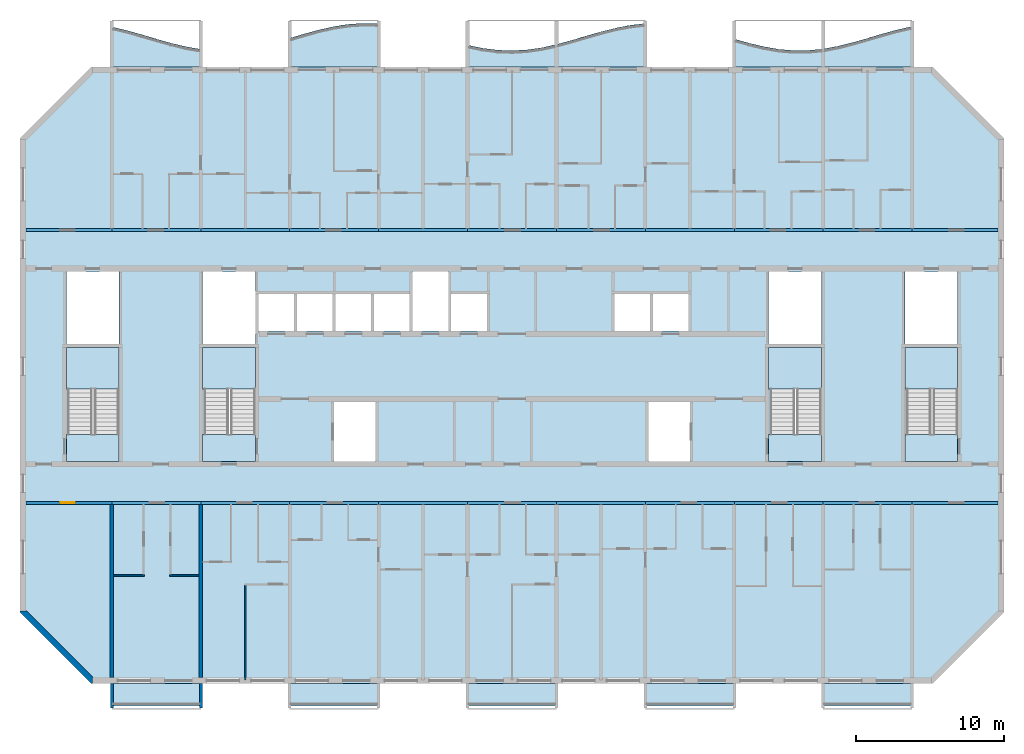
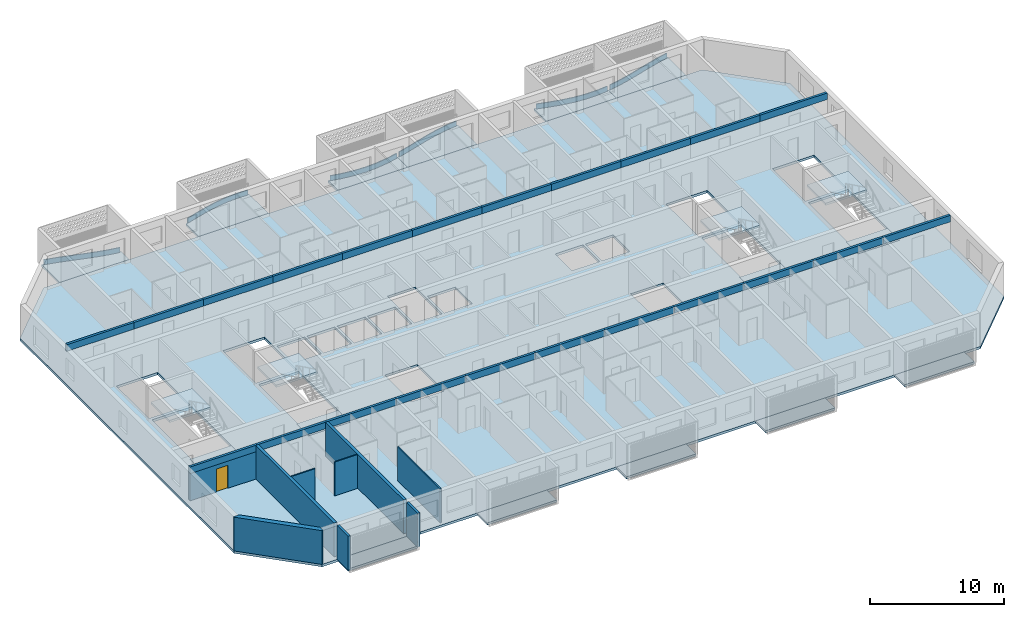
# One storey, part 1 of 26: 22 beams, 20 slabs, 9 walls, 6 plates, 1 door, 1 opening, 4 elements without a shape of their own.
"""IFC4 building model written with IfcOpenShell, lengths in metres."""

from ifc_helpers import new_model, si_unit, direction, frame, frame_2d, origin, origin_2d, place, context, subcontext, project, spatial, polyline, rectangle, outline, extrude, source, transform, mapped, material, layer, layer_set, material_profile, profile_set, type_object, element, fill, aggregate, save


model = new_model("IFC4")

# Units and contexts
model_context = context("Model", 3, precision=1e-05, world=origin(), true_north=direction((0.0, 1.0)))
body_context = subcontext(model_context, "Body", "Model", "MODEL_VIEW")
ifc_project = project(units=[si_unit("LENGTHUNIT", "METRE"), si_unit("AREAUNIT", "SQUARE_METRE"), si_unit("VOLUMEUNIT", "CUBIC_METRE"), si_unit("PLANEANGLEUNIT", "RADIAN"), si_unit("MASSUNIT", "GRAM", prefix="KILO")], contexts=[model_context])

# Site, building, storey
site_placement = place(None, origin())
site = spatial("IfcSite", under=ifc_project, at=site_placement, CompositionType="ELEMENT")
building_placement = place(site_placement, origin())
building = spatial("IfcBuilding", under=site, at=building_placement, Name="Poui Terraces", CompositionType="ELEMENT")
storey_placement = place(building_placement, frame((0.0, 0.0, 175.199951171875)))
storey = spatial("IfcBuildingStorey", under=building, at=storey_placement, Name="L48", CompositionType="ELEMENT", Elevation=175.199951171875)

# Beams
ifc_material_1 = material(Name="Concrete 50 MPa", Category="concrete")
ifc_material_profile = material_profile(ifc_material_1, rectangle(XDim=0.199951171875, YDim=0.60009765625, at=origin_2d()), Name="RC 200x600")
ifc_profile_set = profile_set([ifc_material_profile], Name="Concrete 50 MPa")
beam_type = type_object("IfcBeamType", Name="COUPLING BEAM 200x600 50MPa", PredefinedType="BEAM", material=ifc_profile_set)
shared_shape_1 = source(origin(), body_context, "Body", "SweptSolid", [
    extrude(rectangle(XDim=0.199951171875, YDim=0.60009765625, at=origin_2d()), origin(), (0.0, 0.0, 1.0), 5.800048828125),
])
for number, where, z_axis, x_axis, name in (
    (1, (18.199951171875, 12.0, 2.780029296875), (1.0, 0.0, 0.0), (0.0, 1.0, 0.0), "COUPLING BEAM LINE B BAY 1"),
    (2, (78.0, 12.0, 2.780029296875), (1.0, 0.0, 0.0), (0.0, 1.0, 0.0), "COUPLING BEAM LINE B BAY 11"),
    (3, (18.199951171875, 30.39990234375, 2.780029296875), (1.0, 0.0, 0.0), (0.0, 1.0, 0.0), "COUPLING BEAM LINE E BAY 1"),
    (4, (78.0, 30.39990234375, 2.780029296875), (1.0, 0.0, 0.0), (0.0, 1.0, 0.0), "COUPLING BEAM LINE E BAY 11"),
):
    element("IfcBeam", number, at=place(storey_placement, frame(where, z_axis=z_axis, x_axis=x_axis)), inside=storey, type_object=beam_type, Name=name, PredefinedType="BEAM", context=body_context, shape_type="MappedRepresentation", body=[
        mapped(shared_shape_1, transform((0.0, 0.0, 0.0))),
    ])
shared_shape_2 = source(origin(), body_context, "Body", "SweptSolid", [
    extrude(rectangle(XDim=0.199951171875, YDim=0.60009765625, at=origin_2d()), origin(), (0.0, 0.0, 1.0), 6.0),
])
for number, where, z_axis, x_axis, name in (
    (5, (24.0, 12.0, 2.780029296875), (1.0, 0.0, 0.0), (0.0, 1.0, 0.0), "COUPLING BEAM LINE B BAY 2"),
    (6, (30.0, 12.0, 2.780029296875), (1.0, 0.0, 0.0), (0.0, 1.0, 0.0), "COUPLING BEAM LINE B BAY 3"),
    (7, (36.0, 12.0, 2.780029296875), (1.0, 0.0, 0.0), (0.0, 1.0, 0.0), "COUPLING BEAM LINE B BAY 4"),
    (8, (42.0, 12.0, 2.780029296875), (1.0, 0.0, 0.0), (0.0, 1.0, 0.0), "COUPLING BEAM LINE B BAY 5"),
    (9, (48.0, 12.0, 2.780029296875), (1.0, 0.0, 0.0), (0.0, 1.0, 0.0), "COUPLING BEAM LINE B BAY 6"),
    (10, (54.0, 12.0, 2.780029296875), (1.0, 0.0, 0.0), (0.0, 1.0, 0.0), "COUPLING BEAM LINE B BAY 7"),
    (11, (60.0, 12.0, 2.780029296875), (1.0, 0.0, 0.0), (0.0, 1.0, 0.0), "COUPLING BEAM LINE B BAY 8"),
    (12, (66.0, 12.0, 2.780029296875), (1.0, 0.0, 0.0), (0.0, 1.0, 0.0), "COUPLING BEAM LINE B BAY 9"),
    (13, (72.0, 12.0, 2.780029296875), (1.0, 0.0, 0.0), (0.0, 1.0, 0.0), "COUPLING BEAM LINE B BAY 10"),
    (14, (24.0, 30.39990234375, 2.780029296875), (1.0, 0.0, 0.0), (0.0, 1.0, 0.0), "COUPLING BEAM LINE E BAY 2"),
    (15, (30.0, 30.39990234375, 2.780029296875), (1.0, 0.0, 0.0), (0.0, 1.0, 0.0), "COUPLING BEAM LINE E BAY 3"),
    (16, (36.0, 30.39990234375, 2.780029296875), (1.0, 0.0, 0.0), (0.0, 1.0, 0.0), "COUPLING BEAM LINE E BAY 4"),
    (17, (42.0, 30.39990234375, 2.780029296875), (1.0, 0.0, 0.0), (0.0, 1.0, 0.0), "COUPLING BEAM LINE E BAY 5"),
    (18, (48.0, 30.39990234375, 2.780029296875), (1.0, 0.0, 0.0), (0.0, 1.0, 0.0), "COUPLING BEAM LINE E BAY 6"),
    (19, (54.0, 30.39990234375, 2.780029296875), (1.0, 0.0, 0.0), (0.0, 1.0, 0.0), "COUPLING BEAM LINE E BAY 7"),
    (20, (60.0, 30.39990234375, 2.780029296875), (1.0, 0.0, 0.0), (0.0, 1.0, 0.0), "COUPLING BEAM LINE E BAY 8"),
    (21, (66.0, 30.39990234375, 2.780029296875), (1.0, 0.0, 0.0), (0.0, 1.0, 0.0), "COUPLING BEAM LINE E BAY 9"),
    (22, (72.0, 30.39990234375, 2.780029296875), (1.0, 0.0, 0.0), (0.0, 1.0, 0.0), "COUPLING BEAM LINE E BAY 10"),
):
    element("IfcBeam", number, at=place(storey_placement, frame(where, z_axis=z_axis, x_axis=x_axis)), inside=storey, type_object=beam_type, Name=name, PredefinedType="BEAM", context=body_context, shape_type="MappedRepresentation", body=[
        mapped(shared_shape_2, transform((0.0, 0.0, 0.0))),
    ])

# Slabs
ifc_material_2 = material(Name="Precast concrete 40 MPa", Category="concrete")
ifc_layer_1 = layer(ifc_material_2, 0.199951171875)
ifc_layer_set_1 = layer_set([ifc_layer_1], Name="Precast concrete 40 MPa")
slab_type_1 = type_object("IfcSlabType", Name="BALCONY SLAB 200", PredefinedType="FLOOR", material=ifc_layer_set_1)
slab_1_placement = place(storey_placement, frame((0.0, 0.0, -0.199951171875)))
element("IfcSlab", 23, at=slab_1_placement, inside=storey, type_object=slab_type_1, Name="BALCONY SLAB", PredefinedType="FLOOR", context=body_context, shape_type="SweptSolid", body=[
    extrude(outline(polyline([(24.0, 41.39990234375), (30.0, 41.39990234375), (30.0, 42.5947265625), (29.0, 42.7666015625), (28.0, 43.006103515625), (27.0, 43.288818359375), (26.0, 43.585693359375), (25.0, 43.86572265625), (24.0, 44.1005859375), (24.0, 41.39990234375)])), origin(), (0.0, 0.0, 1.0), 0.199951171875),
])
slab_2_placement = place(storey_placement, frame((0.0, 0.0, -0.199951171875)))
element("IfcSlab", 24, at=slab_2_placement, inside=storey, type_object=slab_type_1, Name="BALCONY SLAB", PredefinedType="FLOOR", context=body_context, shape_type="SweptSolid", body=[
    extrude(outline(polyline([(36.0, 41.39990234375), (42.0, 41.39990234375), (42.0, 44.31689453125), (41.0, 44.3486328125), (40.0, 44.285400390625), (39.0, 44.133544921875), (38.0, 43.90869140625), (37.0, 43.63427734375), (36.0, 43.338134765625), (36.0, 41.39990234375)])), origin(), (0.0, 0.0, 1.0), 0.199951171875),
])
slab_3_placement = place(storey_placement, frame((0.0, 0.0, -0.199951171875)))
element("IfcSlab", 25, at=slab_3_placement, inside=storey, type_object=slab_type_1, Name="BALCONY SLAB", PredefinedType="FLOOR", context=body_context, shape_type="SweptSolid", body=[
    extrude(outline(polyline([(48.0, 41.39990234375), (54.0, 41.39990234375), (54.0, 42.920166015625), (53.0, 42.70068359375), (52.0, 42.555908203125), (51.0, 42.500244140625), (50.0, 42.5400390625), (49.0, 42.6708984375), (48.0, 42.87939453125), (48.0, 41.39990234375)])), origin(), (0.0, 0.0, 1.0), 0.199951171875),
])
slab_4_placement = place(storey_placement, frame((0.0, 0.0, -0.199951171875)))
element("IfcSlab", 26, at=slab_4_placement, inside=storey, type_object=slab_type_1, Name="BALCONY SLAB", PredefinedType="FLOOR", context=body_context, shape_type="SweptSolid", body=[
    extrude(outline(polyline([(54.0, 41.39990234375), (60.0, 41.39990234375), (60.0, 44.32861328125), (59.0, 44.2197265625), (58.0, 44.029052734375), (57.0, 43.776123046875), (56.0, 43.487060546875), (55.0, 43.191650390625), (54.0, 42.920166015625), (54.0, 41.39990234375)])), origin(), (0.0, 0.0, 1.0), 0.199951171875),
])
slab_5_placement = place(storey_placement, frame((0.0, 0.0, -0.199951171875)))
element("IfcSlab", 27, at=slab_5_placement, inside=storey, type_object=slab_type_1, Name="BALCONY SLAB", PredefinedType="FLOOR", context=body_context, shape_type="SweptSolid", body=[
    extrude(outline(polyline([(66.0, 41.39990234375), (72.0, 41.39990234375), (72.0, 42.617919921875), (71.0, 42.516357421875), (70.0, 42.50830078125), (69.0, 42.5947265625), (68.0, 42.7666015625), (67.0, 43.006103515625), (66.0, 43.288818359375), (66.0, 41.39990234375)])), origin(), (0.0, 0.0, 1.0), 0.199951171875),
])
slab_6_placement = place(storey_placement, frame((0.0, 0.0, -0.199951171875)))
element("IfcSlab", 28, at=slab_6_placement, inside=storey, type_object=slab_type_1, Name="BALCONY SLAB", PredefinedType="FLOOR", context=body_context, shape_type="SweptSolid", body=[
    extrude(outline(polyline([(72.0, 41.39990234375), (78.0, 41.39990234375), (78.0, 44.133544921875), (77.0, 43.90869140625), (76.0, 43.63427734375), (75.0, 43.338134765625), (74.0, 43.051025390625), (73.0, 42.802490234375), (72.0, 42.617919921875), (72.0, 41.39990234375)])), origin(), (0.0, 0.0, 1.0), 0.199951171875),
])

# Stair, slabs
stair_type = type_object("IfcStairType", Name="EXIT STAIR 1650 50 MPA", PredefinedType="HALF_TURN_STAIR", material=ifc_material_1)
stair_1_placement = place(storey_placement, origin())
stair_1 = element("IfcStair", 29, at=stair_1_placement, inside=storey, type_object=stair_type, Name="L48 CORE STAIR EAST", PredefinedType="HALF_TURN_STAIR")
ifc_layer_2 = layer(ifc_material_1, 0.199951171875)
ifc_layer_set_2 = layer_set([ifc_layer_2], Name="Concrete 50 MPa")
slab_type_2 = type_object("IfcSlabType", Name="STAIR LANDING 200 50 MPA", PredefinedType="LANDING", material=ifc_layer_set_2)
slab_7_placement = place(storey_placement, frame((0.0, 0.0, 1.449951171875)))
slab_7 = element("IfcSlab", 30, at=slab_7_placement, type_object=slab_type_2, Name="ST-CE landing 1", PredefinedType="LANDING", context=body_context, shape_type="SweptSolid", body=[
    extrude(outline(polyline([(68.324951171875, 19.679931640625), (71.875, 19.679931640625), (71.875, 22.47509765625), (68.324951171875, 22.47509765625), (68.324951171875, 19.679931640625)])), origin(), (0.0, 0.0, 1.0), 0.2001953125),
])
slab_8_placement = place(storey_placement, frame((0.0, 0.0, -0.199951171875)))
slab_8 = element("IfcSlab", 31, at=slab_8_placement, type_object=slab_type_2, Name="ST-CE landing 2", PredefinedType="LANDING", context=body_context, shape_type="SweptSolid", body=[
    extrude(outline(polyline([(68.324951171875, 14.800048828125), (71.875, 14.800048828125), (71.875, 16.60009765625), (68.324951171875, 16.60009765625), (68.324951171875, 14.800048828125)])), origin(), (0.0, 0.0, 1.0), 0.199951171875),
])
aggregate(stair_1, [slab_7, slab_8])

stair_2_placement = place(storey_placement, origin())
stair_2 = element("IfcStair", 32, at=stair_2_placement, inside=storey, type_object=stair_type, Name="L48 CORE STAIR WEST", PredefinedType="HALF_TURN_STAIR")
slab_9_placement = place(storey_placement, frame((0.0, 0.0, 1.449951171875)))
slab_9 = element("IfcSlab", 33, at=slab_9_placement, type_object=slab_type_2, Name="ST-CW landing 1", PredefinedType="LANDING", context=body_context, shape_type="SweptSolid", body=[
    extrude(outline(polyline([(30.125, 19.679931640625), (33.675048828125, 19.679931640625), (33.675048828125, 22.47509765625), (30.125, 22.47509765625), (30.125, 19.679931640625)])), origin(), (0.0, 0.0, 1.0), 0.2001953125),
])
slab_10_placement = place(storey_placement, frame((0.0, 0.0, -0.199951171875)))
slab_10 = element("IfcSlab", 34, at=slab_10_placement, type_object=slab_type_2, Name="ST-CW landing 2", PredefinedType="LANDING", context=body_context, shape_type="SweptSolid", body=[
    extrude(outline(polyline([(30.125, 14.800048828125), (33.675048828125, 14.800048828125), (33.675048828125, 16.60009765625), (30.125, 16.60009765625), (30.125, 14.800048828125)])), origin(), (0.0, 0.0, 1.0), 0.199951171875),
])
aggregate(stair_2, [slab_9, slab_10])

stair_3_placement = place(storey_placement, origin())
stair_3 = element("IfcStair", 35, at=stair_3_placement, inside=storey, type_object=stair_type, Name="L48 TIP STAIR EAST", PredefinedType="HALF_TURN_STAIR")
slab_11_placement = place(storey_placement, frame((0.0, 0.0, 1.449951171875)))
slab_11 = element("IfcSlab", 36, at=slab_11_placement, type_object=slab_type_2, Name="ST-E landing 1", PredefinedType="LANDING", context=body_context, shape_type="SweptSolid", body=[
    extrude(outline(polyline([(77.52490234375, 19.679931640625), (81.074951171875, 19.679931640625), (81.074951171875, 22.47509765625), (77.52490234375, 22.47509765625), (77.52490234375, 19.679931640625)])), origin(), (0.0, 0.0, 1.0), 0.2001953125),
])
slab_12_placement = place(storey_placement, frame((0.0, 0.0, -0.199951171875)))
slab_12 = element("IfcSlab", 37, at=slab_12_placement, type_object=slab_type_2, Name="ST-E landing 2", PredefinedType="LANDING", context=body_context, shape_type="SweptSolid", body=[
    extrude(outline(polyline([(77.52490234375, 14.800048828125), (81.074951171875, 14.800048828125), (81.074951171875, 16.60009765625), (77.52490234375, 16.60009765625), (77.52490234375, 14.800048828125)])), origin(), (0.0, 0.0, 1.0), 0.199951171875),
])
aggregate(stair_3, [slab_11, slab_12])

stair_4_placement = place(storey_placement, origin())
stair_4 = element("IfcStair", 38, at=stair_4_placement, inside=storey, type_object=stair_type, Name="L48 TIP STAIR WEST", PredefinedType="HALF_TURN_STAIR")
slab_13_placement = place(storey_placement, frame((0.0, 0.0, 1.449951171875)))
slab_13 = element("IfcSlab", 39, at=slab_13_placement, type_object=slab_type_2, Name="ST-W landing 1", PredefinedType="LANDING", context=body_context, shape_type="SweptSolid", body=[
    extrude(outline(polyline([(20.925048828125, 19.679931640625), (24.47509765625, 19.679931640625), (24.47509765625, 22.47509765625), (20.925048828125, 22.47509765625), (20.925048828125, 19.679931640625)])), origin(), (0.0, 0.0, 1.0), 0.2001953125),
])
slab_14_placement = place(storey_placement, frame((0.0, 0.0, -0.199951171875)))
slab_14 = element("IfcSlab", 40, at=slab_14_placement, type_object=slab_type_2, Name="ST-W landing 2", PredefinedType="LANDING", context=body_context, shape_type="SweptSolid", body=[
    extrude(outline(polyline([(20.925048828125, 14.800048828125), (24.47509765625, 14.800048828125), (24.47509765625, 16.60009765625), (20.925048828125, 16.60009765625), (20.925048828125, 14.800048828125)])), origin(), (0.0, 0.0, 1.0), 0.199951171875),
])
aggregate(stair_4, [slab_13, slab_14])

# Plates
ifc_layer_3 = layer(ifc_material_2, 0.080078125)
ifc_layer_set_3 = layer_set([ifc_layer_3], Name="Precast concrete 40 MPa")
plate_type = type_object("IfcPlateType", Name="SUNSHADE UPSTAND 80", PredefinedType="SHEET", material=ifc_layer_set_3)
plate_1_placement = place(storey_placement, origin())
element("IfcPlate", 41, at=plate_1_placement, inside=storey, type_object=plate_type, Name="SUNSHADE UPSTAND", PredefinedType="SHEET", context=body_context, shape_type="SweptSolid", body=[
    extrude(outline(polyline([(25.010009765625, 43.859619140625), (24.13427734375, 44.068603515625), (24.11572265625, 43.99072265625), (24.989990234375, 43.781982421875), (25.989013671875, 43.502197265625), (26.989013671875, 43.20556640625), (27.989990234375, 42.922607421875), (28.99169921875, 42.682373046875), (29.867919921875, 42.52734375), (29.882080078125, 42.606201171875), (29.00830078125, 42.7607421875), (28.010009765625, 43.0), (27.010986328125, 43.2822265625), (26.010986328125, 43.5791015625), (25.010009765625, 43.859619140625)])), origin(), (0.0, 0.0, 1.0), 0.449951171875),
])
plate_2_placement = place(storey_placement, origin())
element("IfcPlate", 42, at=plate_2_placement, inside=storey, type_object=plate_type, Name="SUNSHADE UPSTAND", PredefinedType="SHEET", context=body_context, shape_type="SweptSolid", body=[
    extrude(outline(polyline([(36.989013671875, 43.627685546875), (36.113525390625, 43.36865234375), (36.136474609375, 43.2919921875), (37.010986328125, 43.55078125), (38.009765625, 43.824951171875), (39.00732421875, 44.04931640625), (40.00439453125, 44.20068359375), (41.000732421875, 44.263671875), (41.8740234375, 44.240966796875), (41.8759765625, 44.32080078125), (41.842041015625, 44.322021484375), (40.999267578125, 44.34375), (39.99560546875, 44.2802734375), (38.99267578125, 44.1279296875), (37.990234375, 43.902587890625), (36.989013671875, 43.627685546875)])), origin(), (0.0, 0.0, 1.0), 0.449951171875),
])
plate_3_placement = place(storey_placement, origin())
element("IfcPlate", 43, at=plate_3_placement, inside=storey, type_object=plate_type, Name="SUNSHADE UPSTAND", PredefinedType="SHEET", context=body_context, shape_type="SweptSolid", body=[
    extrude(outline(polyline([(49.006591796875, 42.665283203125), (48.133056640625, 42.843994140625), (48.116943359375, 42.765380859375), (48.993408203125, 42.58642578125), (49.99658203125, 42.455078125), (51.000244140625, 42.415283203125), (52.00390625, 42.470947265625), (53.007080078125, 42.6162109375), (53.88330078125, 42.805419921875), (53.86669921875, 42.883544921875), (52.992919921875, 42.695068359375), (51.99609375, 42.550537109375), (50.999755859375, 42.495361328125), (50.00341796875, 42.534912109375), (49.006591796875, 42.665283203125)])), origin(), (0.0, 0.0, 1.0), 0.449951171875),
])
plate_4_placement = place(storey_placement, origin())
element("IfcPlate", 44, at=plate_4_placement, inside=storey, type_object=plate_type, Name="SUNSHADE UPSTAND", PredefinedType="SHEET", context=body_context, shape_type="SweptSolid", body=[
    extrude(outline(polyline([(54.989013671875, 43.18505859375), (54.114501953125, 42.9453125), (54.135498046875, 42.8681640625), (55.010986328125, 43.108154296875), (56.01123046875, 43.40380859375), (57.010498046875, 43.6923828125), (58.0087890625, 43.945068359375), (59.006103515625, 44.13525390625), (59.879638671875, 44.2353515625), (59.87060546875, 44.314697265625), (59.838134765625, 44.31103515625), (58.993896484375, 44.21435546875), (57.9912109375, 44.023193359375), (56.989501953125, 43.769775390625), (55.98876953125, 43.48046875), (54.989013671875, 43.18505859375)])), origin(), (0.0, 0.0, 1.0), 0.449951171875),
])
plate_5_placement = place(storey_placement, origin())
element("IfcPlate", 45, at=plate_5_placement, inside=storey, type_object=plate_type, Name="SUNSHADE UPSTAND", PredefinedType="SHEET", context=body_context, shape_type="SweptSolid", body=[
    extrude(outline(polyline([(67.010009765625, 43.0), (66.1357421875, 43.24560546875), (66.1142578125, 43.168701171875), (66.989990234375, 42.92236328125), (67.991943359375, 42.682373046875), (68.994873046875, 42.510009765625), (69.998291015625, 42.42333984375), (71.002197265625, 42.431396484375), (71.87890625, 42.515380859375), (71.87109375, 42.59521484375), (70.997802734375, 42.51123046875), (70.001708984375, 42.50341796875), (69.005126953125, 42.58935546875), (68.008056640625, 42.7607421875), (67.010009765625, 43.0)])), origin(), (0.0, 0.0, 1.0), 0.449951171875),
])
plate_6_placement = place(storey_placement, origin())
element("IfcPlate", 46, at=plate_6_placement, inside=storey, type_object=plate_type, Name="SUNSHADE UPSTAND", PredefinedType="SHEET", context=body_context, shape_type="SweptSolid", body=[
    extrude(outline(polyline([(72.991455078125, 42.79638671875), (72.11767578125, 42.630859375), (72.13232421875, 42.55224609375), (73.008544921875, 42.71826171875), (74.01025390625, 42.96728515625), (75.01123046875, 43.2548828125), (76.010986328125, 43.55078125), (77.009765625, 43.824951171875), (77.8837890625, 44.025146484375), (77.8662109375, 44.10302734375), (76.990234375, 43.902587890625), (75.989013671875, 43.627685546875), (74.98876953125, 43.33154296875), (73.98974609375, 43.044677734375), (72.991455078125, 42.79638671875)])), origin(), (0.0, 0.0, 1.0), 0.449951171875),
])

# Slabs
ifc_material_3 = material(Name="Concrete 40 MPa", Category="concrete")
ifc_layer_4 = layer(ifc_material_3, 0.219970703125)
ifc_layer_set_4 = layer_set([ifc_layer_4], Name="Concrete 40 MPa")
slab_type_3 = type_object("IfcSlabType", Name="FLOOR SLAB 220", PredefinedType="FLOOR", material=ifc_layer_set_4)
shared_shape_3 = source(origin(), body_context, "Body", "SweptSolid", [
    extrude(outline(polyline([(0.0, 0.0), (4.800048828125, -4.800048828125), (61.599853515625, -4.800048828125), (66.39990234375, 0.0), (66.39990234375, 32.0), (61.599853515625, 36.7998046875), (4.800048828125, 36.7998046875), (0.0, 32.0), (0.0, 0.0)]), holes=[polyline([(21.199951171875, 10.199951171875), (21.199951171875, 14.199951171875), (24.0, 14.199951171875), (24.0, 10.199951171875), (21.199951171875, 10.199951171875)]), polyline([(3.224853515625, 17.849853515625), (6.675048828125, 17.849853515625), (6.675048828125, 12.0), (6.675048828125, 10.199951171875), (3.125, 10.199951171875), (3.125, 12.0), (3.224853515625, 12.0), (3.224853515625, 17.849853515625)]), polyline([(12.425048828125, 17.849853515625), (15.875, 17.849853515625), (15.875, 12.0), (15.875, 10.199951171875), (12.324951171875, 10.199951171875), (12.324951171875, 12.0), (12.425048828125, 12.0), (12.425048828125, 17.849853515625)]), polyline([(16.099853515625, 19.0), (16.099853515625, 21.5), (18.5, 21.5), (18.5, 19.0), (16.099853515625, 19.0)]), polyline([(18.699951171875, 19.0), (18.699951171875, 21.5), (21.099853515625, 21.5), (21.099853515625, 19.0), (18.699951171875, 19.0)]), polyline([(21.300048828125, 19.0), (21.300048828125, 21.5), (23.699951171875, 21.5), (23.699951171875, 19.0), (21.300048828125, 19.0)]), polyline([(23.89990234375, 19.0), (23.89990234375, 21.5), (26.300048828125, 21.5), (26.300048828125, 19.0), (23.89990234375, 19.0)]), polyline([(3.125, 23.0), (6.675048828125, 23.0), (6.675048828125, 18.125), (3.125, 18.125), (3.125, 23.0)]), polyline([(12.324951171875, 23.0), (15.875, 23.0), (15.875, 18.125), (12.324951171875, 18.125), (12.324951171875, 23.0)]), polyline([(42.39990234375, 10.199951171875), (42.39990234375, 14.199951171875), (45.199951171875, 14.199951171875), (45.199951171875, 10.199951171875), (42.39990234375, 10.199951171875)]), polyline([(50.625, 17.849853515625), (54.074951171875, 17.849853515625), (54.074951171875, 12.0), (54.074951171875, 10.199951171875), (50.52490234375, 10.199951171875), (50.52490234375, 12.0), (50.625, 12.0), (50.625, 17.849853515625)]), polyline([(59.824951171875, 17.849853515625), (63.27490234375, 17.849853515625), (63.27490234375, 12.0), (63.27490234375, 10.199951171875), (59.724853515625, 10.199951171875), (59.724853515625, 12.0), (59.824951171875, 12.0), (59.824951171875, 17.849853515625)]), polyline([(29.099853515625, 19.0), (29.099853515625, 21.5), (31.5, 21.5), (31.5, 19.0), (29.099853515625, 19.0)]), polyline([(40.099853515625, 19.0), (40.099853515625, 21.5), (42.5, 21.5), (42.5, 19.0), (40.099853515625, 19.0)]), polyline([(42.699951171875, 19.0), (42.699951171875, 21.5), (45.099853515625, 21.5), (45.099853515625, 19.0), (42.699951171875, 19.0)]), polyline([(50.52490234375, 18.125), (50.52490234375, 23.0), (54.074951171875, 23.0), (54.074951171875, 18.125), (50.52490234375, 18.125)]), polyline([(59.724853515625, 23.0), (63.27490234375, 23.0), (63.27490234375, 18.125), (59.724853515625, 18.125), (59.724853515625, 23.0)]), polyline([(26.5, 23.0), (28.89990234375, 23.0), (28.89990234375, 19.0), (26.5, 19.0), (26.5, 23.0)])]), origin(), (0.0, 0.0, 1.0), 0.219970703125),
])
slab_15_placement = place(storey_placement, frame((17.800048828125, 4.60009765625, -0.219970703125)))
element("IfcSlab", 47, at=slab_15_placement, inside=storey, type_object=slab_type_3, Name="FLOOR SLAB", PredefinedType="FLOOR", context=body_context, shape_type="MappedRepresentation", body=[
    mapped(shared_shape_3, transform((0.0, 0.0, 0.0))),
])
ifc_layer_5 = layer(ifc_material_2, 0.199951171875)
ifc_layer_set_5 = layer_set([ifc_layer_5], Name="Precast concrete 40 MPa")
slab_type_4 = type_object("IfcSlabType", Name="REAR BALCONY SLAB 200", PredefinedType="FLOOR", material=ifc_layer_set_5)
shared_shape_4 = source(origin(), body_context, "Body", "SweptSolid", [
    extrude(outline(polyline([(0.0, 0.0), (6.0, 0.0), (6.0, 1.5), (0.0, 1.5), (0.0, 0.0)])), origin(), (0.0, 0.0, 1.0), 0.199951171875),
])
for number, where, name in (
    (48, (24.0, -1.699951171875, -0.199951171875), "REAR BALCONY SLAB"),
    (49, (36.0, -1.699951171875, -0.199951171875), "REAR BALCONY SLAB"),
    (50, (48.0, -1.699951171875, -0.199951171875), "REAR BALCONY SLAB"),
    (51, (60.0, -1.699951171875, -0.199951171875), "REAR BALCONY SLAB"),
    (52, (72.0, -1.699951171875, -0.199951171875), "REAR BALCONY SLAB"),
):
    element("IfcSlab", number, at=place(storey_placement, frame(where)), inside=storey, type_object=slab_type_4, Name=name, PredefinedType="FLOOR", context=body_context, shape_type="MappedRepresentation", body=[
        mapped(shared_shape_4, transform((0.0, 0.0, 0.0))),
    ])

# Wall, opening, door
ifc_layer_6 = layer(ifc_material_1, 0.199951171875)
ifc_layer_set_6 = layer_set([ifc_layer_6], Name="Concrete 50 MPa")
wall_type_1 = type_object("IfcWallType", Name="CORRIDOR WALL 200 50MPa", PredefinedType="SHEAR", material=ifc_layer_set_6)
wall_1_placement = place(storey_placement, frame((18.199951171875, 12.0, 0.0), z_axis=(0.0, 0.0, 1.0), x_axis=(1.0, 0.0, 0.0)))
wall_1 = element("IfcWall", 53, at=wall_1_placement, inside=storey, type_object=wall_type_1, Name="CORRIDOR WALL LINE B BAY 1", PredefinedType="SHEAR", context=body_context, shape_type="SweptSolid", body=[
    extrude(rectangle(XDim=5.800048828125, YDim=0.199951171875, at=frame_2d((2.89990234375, 0.0))), origin(), (0.0, 0.0, 1.0), 2.47998046875),
])
opening_placement = place(wall_1_placement, frame((2.300048828125, 0.0, 0.0)))
opening = element("IfcOpeningElement", 54, at=opening_placement, cuts=wall_1, Name="Opening D100", PredefinedType="OPENING", context=body_context, shape_type="SweptSolid", body=[
    extrude(rectangle(XDim=1.0, YDim=2.10009765625, at=frame_2d((0.5, 1.050048828125))), frame((0.0, 0.10986328125, 0.0), z_axis=(0.0, -1.0, 0.0), x_axis=(1.0, 0.0, 0.0)), (0.0, 0.0, 1.0), 0.219970703125),
])
ifc_material_4 = material(Name="Solid core timber door", Category="wood")
door_type = type_object("IfcDoorType", Name="ACCESSIBLE INTERNAL DOOR 1000 X 2100", OperationType="NOTDEFINED", PredefinedType="DOOR", material=ifc_material_4)
door_placement = place(opening_placement, frame((1.0, 0.0, 0.0), z_axis=(0.0, 0.0, 1.0), x_axis=(-1.0, 0.0, 0.0)))
door = element("IfcDoor", 55, at=door_placement, inside=storey, type_object=door_type, Name="ACCESSIBLE INTERNAL DOOR 062", OperationType="SINGLE_SWING_RIGHT", OverallHeight=2.10009765625, OverallWidth=1.0, PredefinedType="DOOR", context=body_context, shape_type="SweptSolid", body=[
    extrude(rectangle(XDim=1.0, YDim=2.10009765625, at=frame_2d((0.5, 1.050048828125))), frame((0.0, 0.02490234375, 0.0), z_axis=(0.0, -1.0, 0.0), x_axis=(1.0, 0.0, 0.0)), (0.0, 0.0, 1.0), 0.050048828125),
])
fill(opening, door)

# Walls
ifc_layer_7 = layer(ifc_material_1, 0.25)
ifc_layer_set_7 = layer_set([ifc_layer_7], Name="Concrete 50 MPa")
wall_type_2 = type_object("IfcWallType", Name="CROSS WALL 250 50MPa", PredefinedType="SHEAR", material=ifc_layer_set_7)
for number, where, z_axis, x_axis, name in (
    (56, (24.0, 0.199951171875, 0.0), (0.0, 0.0, 1.0), (0.0, 1.0, 0.0), "CROSS WALL LINE 5 SOUTH"),
    (57, (30.0, 0.199951171875, 0.0), (0.0, 0.0, 1.0), (0.0, 1.0, 0.0), "CROSS WALL LINE 6 SOUTH"),
):
    element("IfcWall", number, at=place(storey_placement, frame(where, z_axis=z_axis, x_axis=x_axis)), inside=storey, type_object=wall_type_2, Name=name, PredefinedType="SHEAR", context=body_context, shape_type="SweptSolid", body=[
        extrude(rectangle(XDim=11.699951171875, YDim=0.25, at=frame_2d((5.85009765625, 0.0))), origin(), (0.0, 0.0, 1.0), 3.080078125),
    ])
ifc_material_5 = material(Name="Plasterboard partition")
ifc_layer_8 = layer(ifc_material_5, 0.10009765625)
ifc_layer_set_8 = layer_set([ifc_layer_8], Name="Plasterboard partition")
wall_type_3 = type_object("IfcWallType", Name="FLAT PARTITION 100", PredefinedType="PARTITIONING", material=ifc_layer_set_8)
wall_2_placement = place(storey_placement, frame((24.135009765625, 7.10009765625, 0.0), z_axis=(0.0, 0.0, 1.0), x_axis=(1.0, 0.0, 0.0)))
element("IfcWall", 58, at=wall_2_placement, inside=storey, type_object=wall_type_3, Name="FLAT PARTITION 100", PredefinedType="PARTITIONING", context=body_context, shape_type="SweptSolid", body=[
    extrude(rectangle(XDim=2.06494140625, YDim=0.10009765625, at=frame_2d((1.032470703125, 0.0))), origin(), (0.0, 0.0, 1.0), 3.080078125),
])
wall_3_placement = place(storey_placement, frame((27.89990234375, 7.10009765625, 0.0), z_axis=(0.0, 0.0, 1.0), x_axis=(1.0, 0.0, 0.0)))
element("IfcWall", 59, at=wall_3_placement, inside=storey, type_object=wall_type_3, Name="FLAT PARTITION 100", PredefinedType="PARTITIONING", context=body_context, shape_type="SweptSolid", body=[
    extrude(rectangle(XDim=1.965087890625, YDim=0.10009765625, at=frame_2d((0.982421875, 0.0))), origin(), (0.0, 0.0, 1.0), 3.080078125),
])
wall_4_placement = place(storey_placement, frame((33.0, 0.06005859375, 0.0), z_axis=(0.0, 0.0, 1.0), x_axis=(0.0, 1.0, 0.0)))
element("IfcWall", 60, at=wall_4_placement, inside=storey, type_object=wall_type_3, Name="FLAT PARTITION 100", PredefinedType="PARTITIONING", context=body_context, shape_type="SweptSolid", body=[
    extrude(rectangle(XDim=6.389892578125, YDim=0.10009765625, at=frame_2d((3.19482421875, 0.0))), origin(), (0.0, 0.0, 1.0), 3.080078125),
])
ifc_layer_9 = layer(ifc_material_2, 0.39990234375)
ifc_layer_set_9 = layer_set([ifc_layer_9], Name="Precast concrete 40 MPa")
wall_type_4 = type_object("IfcWallType", Name="TERRACOTTA CLAD CHAMFER WALL 400", PredefinedType="STANDARD", material=ifc_layer_set_9)
wall_5_placement = place(storey_placement, origin())
element("IfcWall", 61, at=wall_5_placement, inside=storey, type_object=wall_type_4, Name="CHAMFER WALL CH07", PredefinedType="STANDARD", context=body_context, shape_type="SweptSolid", body=[
    extrude(outline(polyline([(17.800048828125, 4.682861328125), (17.800048828125, 4.60009765625), (22.60009765625, -0.199951171875), (22.682861328125, -0.199951171875), (22.682861328125, 0.28271484375), (18.28271484375, 4.682861328125), (17.800048828125, 4.682861328125)])), origin(), (0.0, 0.0, 1.0), 3.080078125),
])
ifc_layer_10 = layer(ifc_material_2, 0.199951171875)
ifc_layer_set_10 = layer_set([ifc_layer_10], Name="Precast concrete 40 MPa")
wall_type_5 = type_object("IfcWallType", Name="REAR FIN 200", PredefinedType="STANDARD", material=ifc_layer_set_10)
shared_shape_5 = source(origin(), body_context, "Body", "SweptSolid", [
    extrude(outline(polyline([(0.0, 0.0), (0.2001953125, 0.0), (0.2001953125, 1.650146484375), (0.0, 1.650146484375), (0.0, 0.0)])), origin(), (0.0, 0.0, 1.0), 3.10009765625),
])
for number, where, name in (
    (62, (23.89990234375, -1.85009765625, 0.0), "REAR FIN"),
    (63, (29.89990234375, -1.85009765625, 0.0), "REAR FIN"),
):
    element("IfcWall", number, at=place(storey_placement, frame(where)), inside=storey, type_object=wall_type_5, Name=name, PredefinedType="STANDARD", context=body_context, shape_type="MappedRepresentation", body=[
        mapped(shared_shape_5, transform((0.0, 0.0, 0.0))),
    ])

save(model, "model.ifc")
